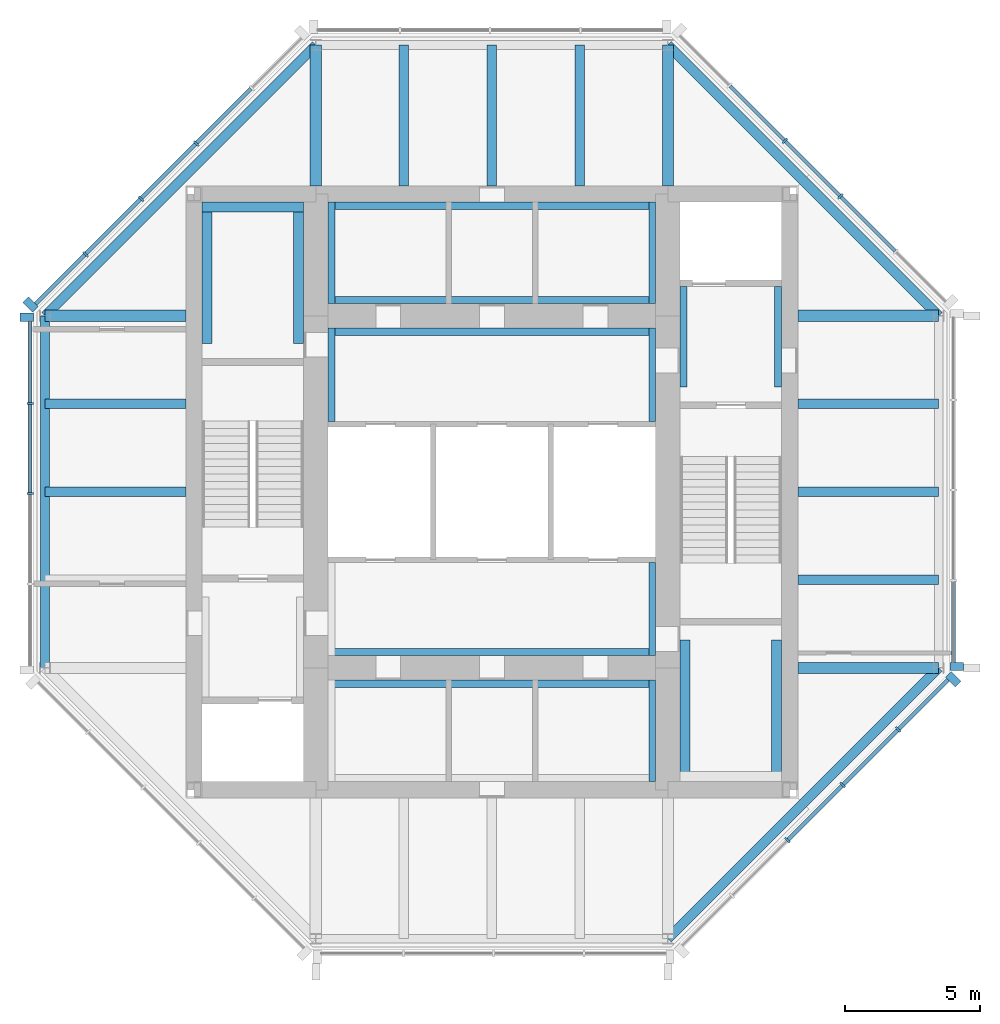
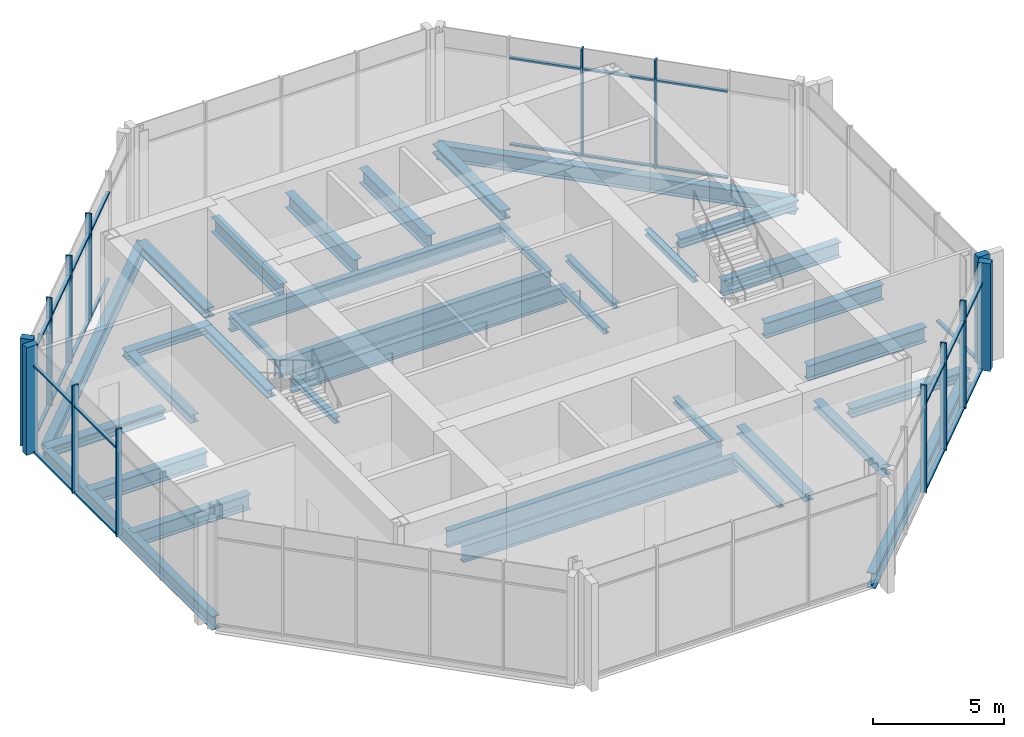
# One storey, part 2 of 7: 39 members, 35 beams, 5 elements without a shape of their own.
"""IFC4 building model written with IfcOpenShell, lengths in metres."""

from ifc_helpers import new_model, si_unit, direction, frame, origin, origin_2d, place, context, subcontext, project, spatial, rectangle, i_section, extrude, material, material_profile, profile_set, type_object, element, aggregate, save


model = new_model("IFC4")

# Units and contexts
model_context = context("Model", 3, precision=1e-05, world=origin(), true_north=direction((0.0, 1.0)))
body_context = subcontext(model_context, "Body", "Model", "MODEL_VIEW")
ifc_project = project(units=[si_unit("LENGTHUNIT", "METRE"), si_unit("AREAUNIT", "SQUARE_METRE"), si_unit("VOLUMEUNIT", "CUBIC_METRE"), si_unit("PLANEANGLEUNIT", "RADIAN"), si_unit("MASSUNIT", "GRAM", prefix="KILO")], contexts=[model_context])

# Site, building, storey
site_placement = place(None, origin())
site = spatial("IfcSite", under=ifc_project, at=site_placement, CompositionType="ELEMENT")
building_placement = place(site_placement, origin())
building = spatial("IfcBuilding", under=site, at=building_placement, Name="Trevanion Tower", CompositionType="ELEMENT")
storey_placement = place(building_placement, frame((0.0, 0.0, 299.199951171875)))
storey = spatial("IfcBuildingStorey", under=building, at=storey_placement, Name="L74", CompositionType="ELEMENT", Elevation=299.199951171875)

# Beams
ifc_material_1 = material(Name="Steel ASTM A992 Grade 50", Category="steel")
ifc_material_profile_1 = material_profile(ifc_material_1, i_section(OverallWidth=0.355712890625, OverallDepth=0.700927734375, WebThickness=0.016845703125, FlangeThickness=0.02734375, at=origin_2d()), Name="W27X161")
ifc_profile_set_1 = profile_set([ifc_material_profile_1], Name="Steel ASTM A992 Grade 50")
beam_type_1 = type_object("IfcBeamType", Name="B15 W27X161", PredefinedType="BEAM", material=ifc_profile_set_1)
for number, where, z_axis, x_axis, name in (
    (1, (11.300048828125, -3.25, -0.54052734375), (1.0, 0.0, 0.0), (0.0, 1.0, 0.0), "B15 L74"),
    (2, (11.300048828125, 0.0, -0.54052734375), (1.0, 0.0, 0.0), (0.0, 1.0, 0.0), "B15 L74"),
    (3, (11.300048828125, 3.25, -0.54052734375), (1.0, 0.0, 0.0), (0.0, 1.0, 0.0), "B15 L74"),
    (4, (3.25, 11.300048828125, -0.54052734375), (0.0, 1.0, 0.0), (-1.0, 0.0, 0.0), "B15 L74"),
    (5, (0.0, 11.300048828125, -0.54052734375), (0.0, 1.0, 0.0), (-1.0, 0.0, 0.0), "B15 L74"),
    (6, (-3.25, 11.300048828125, -0.54052734375), (0.0, 1.0, 0.0), (-1.0, 0.0, 0.0), "B15 L74"),
    (7, (-11.300048828125, 3.25, -0.54052734375), (-1.0, 0.0, 0.0), (0.0, -1.0, 0.0), "B15 L74"),
    (8, (-11.300048828125, 0.0, -0.54052734375), (-1.0, 0.0, 0.0), (0.0, -1.0, 0.0), "B15 L74"),
):
    element("IfcBeam", number, at=place(storey_placement, frame(where, z_axis=z_axis, x_axis=x_axis)), inside=storey, type_object=beam_type_1, Name=name, PredefinedType="BEAM", context=body_context, shape_type="SweptSolid", body=[
        extrude(i_section(OverallWidth=0.355712890625, OverallDepth=0.700927734375, WebThickness=0.016845703125, FlangeThickness=0.02734375, at=origin_2d()), origin(), (0.0, 0.0, 1.0), 5.199951171875),
    ])

# Curtain wall, members
ifc_material_2 = material(Name="Aluminium and glass", Category="aluminium")
curtain_wall_type = type_object("IfcCurtainWallType", Name="CW4 curtain wall", PredefinedType="USERDEFINED", material=ifc_material_2)
curtain_wall_1_placement = place(storey_placement, origin())
curtain_wall_1 = element("IfcCurtainWall", 9, at=curtain_wall_1_placement, inside=storey, type_object=curtain_wall_type, Name="CW4 L74 1", ObjectType="UNITISED CURTAIN WALL", PredefinedType="USERDEFINED")
ifc_material_3 = material(Name="Aluminium extrusion, anodised bronze", Category="aluminium")
ifc_material_profile_2 = material_profile(ifc_material_3, rectangle(XDim=0.074951171875, YDim=0.25, at=origin_2d()), Name="CW4 mullion")
ifc_profile_set_2 = profile_set([ifc_material_profile_2], Name="Aluminium extrusion, anodised bronze")
member_type_1 = type_object("IfcMemberType", Name="CW4 mullion", PredefinedType="MULLION", material=ifc_profile_set_2)
member_1_placement = place(storey_placement, frame((12.865966796875, 10.911865234375, -0.18994140625), z_axis=(0.0, 0.0, 1.0), x_axis=(-0.707106781187, 0.707106781187, 0.0)))
member_1 = element("IfcMember", 10, at=member_1_placement, type_object=member_type_1, Name="CW4 mullion 3", PredefinedType="MULLION", context=body_context, shape_type="SweptSolid", body=[
    extrude(rectangle(XDim=0.074951171875, YDim=0.25, at=origin_2d()), origin(), (0.0, 0.0, 1.0), 5.0),
])
member_2_placement = place(storey_placement, frame((10.81982421875, 12.9580078125, -0.18994140625), z_axis=(0.0, 0.0, 1.0), x_axis=(-0.707106781187, 0.707106781187, 0.0)))
member_2 = element("IfcMember", 11, at=member_2_placement, type_object=member_type_1, Name="CW4 mullion 4", PredefinedType="MULLION", context=body_context, shape_type="SweptSolid", body=[
    extrude(rectangle(XDim=0.074951171875, YDim=0.25, at=origin_2d()), origin(), (0.0, 0.0, 1.0), 5.0),
])

curtain_wall_2_placement = place(storey_placement, origin())
curtain_wall_2 = element("IfcCurtainWall", 12, at=curtain_wall_2_placement, inside=storey, type_object=curtain_wall_type, Name="CW4 L74 3", ObjectType="UNITISED CURTAIN WALL", PredefinedType="USERDEFINED")
member_3_placement = place(storey_placement, frame((-10.911865234375, 12.865966796875, -0.18994140625), z_axis=(0.0, 0.0, 1.0), x_axis=(-0.707106781187, -0.707106781187, 0.0)))
member_3 = element("IfcMember", 13, at=member_3_placement, type_object=member_type_1, Name="CW4 mullion 3", PredefinedType="MULLION", context=body_context, shape_type="SweptSolid", body=[
    extrude(rectangle(XDim=0.074951171875, YDim=0.25, at=origin_2d()), origin(), (0.0, 0.0, 1.0), 5.0),
])
member_4_placement = place(storey_placement, frame((-12.9580078125, 10.81982421875, -0.18994140625), z_axis=(0.0, 0.0, 1.0), x_axis=(-0.707106781187, -0.707106781187, 0.0)))
member_4 = element("IfcMember", 14, at=member_4_placement, type_object=member_type_1, Name="CW4 mullion 4", PredefinedType="MULLION", context=body_context, shape_type="SweptSolid", body=[
    extrude(rectangle(XDim=0.074951171875, YDim=0.25, at=origin_2d()), origin(), (0.0, 0.0, 1.0), 5.0),
])
member_5_placement = place(storey_placement, frame((-15.00390625, 8.77392578125, -0.18994140625), z_axis=(0.0, 0.0, 1.0), x_axis=(-0.707106781187, -0.707106781187, 0.0)))
member_5 = element("IfcMember", 15, at=member_5_placement, type_object=member_type_1, Name="CW4 mullion 5", PredefinedType="MULLION", context=body_context, shape_type="SweptSolid", body=[
    extrude(rectangle(XDim=0.074951171875, YDim=0.25, at=origin_2d()), origin(), (0.0, 0.0, 1.0), 5.0),
])

curtain_wall_3_placement = place(storey_placement, origin())
curtain_wall_3 = element("IfcCurtainWall", 16, at=curtain_wall_3_placement, inside=storey, type_object=curtain_wall_type, Name="CW4 L74 4", ObjectType="UNITISED CURTAIN WALL", PredefinedType="USERDEFINED")
member_6_placement = place(storey_placement, frame((-17.050048828125, 3.266357421875, -0.18994140625), z_axis=(0.0, 0.0, 1.0), x_axis=(0.0, -1.0, 0.0)))
member_6 = element("IfcMember", 17, at=member_6_placement, type_object=member_type_1, Name="CW4 mullion 2", PredefinedType="MULLION", context=body_context, shape_type="SweptSolid", body=[
    extrude(rectangle(XDim=0.074951171875, YDim=0.25, at=origin_2d()), origin(), (0.0, 0.0, 1.0), 5.0),
])
member_7_placement = place(storey_placement, frame((-17.050048828125, -0.06494140625, -0.18994140625), z_axis=(0.0, 0.0, 1.0), x_axis=(0.0, -1.0, 0.0)))
member_7 = element("IfcMember", 18, at=member_7_placement, type_object=member_type_1, Name="CW4 mullion 3", PredefinedType="MULLION", context=body_context, shape_type="SweptSolid", body=[
    extrude(rectangle(XDim=0.074951171875, YDim=0.25, at=origin_2d()), origin(), (0.0, 0.0, 1.0), 5.0),
])

curtain_wall_4_placement = place(storey_placement, origin())
curtain_wall_4 = element("IfcCurtainWall", 19, at=curtain_wall_4_placement, inside=storey, type_object=curtain_wall_type, Name="CW4 L74 7", ObjectType="UNITISED CURTAIN WALL", PredefinedType="USERDEFINED")
member_8_placement = place(storey_placement, frame((10.911865234375, -12.865966796875, -0.18994140625), z_axis=(0.0, 0.0, 1.0), x_axis=(0.707106781187, 0.707106781187, 0.0)))
member_8 = element("IfcMember", 20, at=member_8_placement, type_object=member_type_1, Name="CW4 mullion 3", PredefinedType="MULLION", context=body_context, shape_type="SweptSolid", body=[
    extrude(rectangle(XDim=0.074951171875, YDim=0.25, at=origin_2d()), origin(), (0.0, 0.0, 1.0), 5.0),
])
member_9_placement = place(storey_placement, frame((12.9580078125, -10.81982421875, -0.18994140625), z_axis=(0.0, 0.0, 1.0), x_axis=(0.707106781187, 0.707106781187, 0.0)))
member_9 = element("IfcMember", 21, at=member_9_placement, type_object=member_type_1, Name="CW4 mullion 4", PredefinedType="MULLION", context=body_context, shape_type="SweptSolid", body=[
    extrude(rectangle(XDim=0.074951171875, YDim=0.25, at=origin_2d()), origin(), (0.0, 0.0, 1.0), 5.0),
])
member_10_placement = place(storey_placement, frame((15.00390625, -8.77392578125, -0.18994140625), z_axis=(0.0, 0.0, 1.0), x_axis=(0.707106781187, 0.707106781187, 0.0)))
member_10 = element("IfcMember", 22, at=member_10_placement, type_object=member_type_1, Name="CW4 mullion 5", PredefinedType="MULLION", context=body_context, shape_type="SweptSolid", body=[
    extrude(rectangle(XDim=0.074951171875, YDim=0.25, at=origin_2d()), origin(), (0.0, 0.0, 1.0), 5.0),
])

# Curtain wall, member
curtain_wall_5_placement = place(storey_placement, origin())
curtain_wall_5 = element("IfcCurtainWall", 23, at=curtain_wall_5_placement, inside=storey, type_object=curtain_wall_type, Name="CW4 L74 0", ObjectType="UNITISED CURTAIN WALL", PredefinedType="USERDEFINED")
ifc_material_4 = material(Name="Aluminium extrusion, anodised bronze", Category="aluminium")
ifc_material_profile_3 = material_profile(ifc_material_4, rectangle(XDim=0.300048828125, YDim=0.5, at=origin_2d()), Name="CW4 pier mullion")
ifc_profile_set_3 = profile_set([ifc_material_profile_3], Name="Aluminium extrusion, anodised bronze")
member_type_2 = type_object("IfcMemberType", Name="CW4 pier mullion", PredefinedType="MULLION", material=ifc_profile_set_3)
member_11_placement = place(storey_placement, frame((17.175048828125, -6.44775390625, -0.18994140625), z_axis=(0.0, 0.0, 1.0), x_axis=(0.0, 1.0, 0.0)))
member_11 = element("IfcMember", 24, at=member_11_placement, type_object=member_type_2, Name="CW4 pier mullion 1", PredefinedType="MULLION", context=body_context, shape_type="SweptSolid", body=[
    extrude(rectangle(XDim=0.300048828125, YDim=0.5, at=origin_2d()), origin(), (0.0, 0.0, 1.0), 5.0),
])

# Member
member_12_placement = place(storey_placement, frame((-17.0322265625, 6.92236328125, -0.18994140625), z_axis=(0.0, 0.0, 1.0), x_axis=(-0.707106781187, -0.707106781187, 0.0)))
member_12 = element("IfcMember", 25, at=member_12_placement, type_object=member_type_2, Name="CW4 pier mullion 6", PredefinedType="MULLION", context=body_context, shape_type="SweptSolid", body=[
    extrude(rectangle(XDim=0.300048828125, YDim=0.5, at=origin_2d()), origin(), (0.0, 0.0, 1.0), 5.0),
])

member_13_placement = place(storey_placement, frame((-17.175048828125, 6.44775390625, -0.18994140625), z_axis=(0.0, 0.0, 1.0), x_axis=(0.0, -1.0, 0.0)))
member_13 = element("IfcMember", 26, at=member_13_placement, type_object=member_type_2, Name="CW4 pier mullion 1", PredefinedType="MULLION", context=body_context, shape_type="SweptSolid", body=[
    extrude(rectangle(XDim=0.300048828125, YDim=0.5, at=origin_2d()), origin(), (0.0, 0.0, 1.0), 5.0),
])

member_14_placement = place(storey_placement, frame((17.0322265625, -6.92236328125, -0.18994140625), z_axis=(0.0, 0.0, 1.0), x_axis=(0.707106781187, 0.707106781187, 0.0)))
member_14 = element("IfcMember", 27, at=member_14_placement, type_object=member_type_2, Name="CW4 pier mullion 6", PredefinedType="MULLION", context=body_context, shape_type="SweptSolid", body=[
    extrude(rectangle(XDim=0.300048828125, YDim=0.5, at=origin_2d()), origin(), (0.0, 0.0, 1.0), 5.0),
])

ifc_material_5 = material(Name="Aluminium extrusion, anodised bronze", Category="aluminium")
ifc_material_profile_4 = material_profile(ifc_material_5, rectangle(XDim=0.14990234375, YDim=0.074951171875, at=origin_2d()), Name="CW4 transom")
ifc_profile_set_4 = profile_set([ifc_material_profile_4], Name="Aluminium extrusion, anodised bronze")
member_type_3 = type_object("IfcMemberType", Name="CW4 transom", PredefinedType="USERDEFINED", material=ifc_profile_set_4)
member_15_placement = place(storey_placement, frame((17.050048828125, -6.2978515625, -0.15234375), z_axis=(0.0, 1.0, 0.0), x_axis=(-1.0, 0.0, 0.0)))
member_15 = element("IfcMember", 28, at=member_15_placement, type_object=member_type_3, Name="CW4 transom 1.1", ObjectType="TRANSOM", PredefinedType="USERDEFINED", context=body_context, shape_type="SweptSolid", body=[
    extrude(rectangle(XDim=0.14990234375, YDim=0.074951171875, at=origin_2d()), origin(), (0.0, 0.0, 1.0), 2.993896484375),
])

aggregate(curtain_wall_5, [member_11, member_15])

member_16_placement = place(storey_placement, frame((14.885498046875, 8.892333984375, -0.15234375), z_axis=(-0.707106781187, 0.707106781187, 0.0), x_axis=(-0.707106781187, -0.707106781187, 0.0)))
member_16 = element("IfcMember", 29, at=member_16_placement, type_object=member_type_3, Name="CW4 transom 2.1", ObjectType="TRANSOM", PredefinedType="USERDEFINED", context=body_context, shape_type="SweptSolid", body=[
    extrude(rectangle(XDim=0.14990234375, YDim=0.074951171875, at=origin_2d()), origin(), (0.0, 0.0, 1.0), 2.818359375),
])

member_17_placement = place(storey_placement, frame((14.885498046875, 8.892333984375, 3.860107421875), z_axis=(-0.707106781187, 0.707106781187, 0.0), x_axis=(-0.707106781187, -0.707106781187, 0.0)))
member_17 = element("IfcMember", 30, at=member_17_placement, type_object=member_type_3, Name="CW4 transom 2.2", ObjectType="TRANSOM", PredefinedType="USERDEFINED", context=body_context, shape_type="SweptSolid", body=[
    extrude(rectangle(XDim=0.14990234375, YDim=0.074951171875, at=origin_2d()), origin(), (0.0, 0.0, 1.0), 2.818359375),
])

member_18_placement = place(storey_placement, frame((12.839599609375, 10.9384765625, -0.15234375), z_axis=(-0.707150088905, 0.707063470815, 0.0), x_axis=(-0.707063470815, -0.707150088905, 0.0)))
member_18 = element("IfcMember", 31, at=member_18_placement, type_object=member_type_3, Name="CW4 transom 3.1", ObjectType="TRANSOM", PredefinedType="USERDEFINED", context=body_context, shape_type="SweptSolid", body=[
    extrude(rectangle(XDim=0.14990234375, YDim=0.074951171875, at=origin_2d()), origin(), (0.0, 0.0, 1.0), 2.818603515625),
])

member_19_placement = place(storey_placement, frame((12.839599609375, 10.9384765625, 3.860107421875), z_axis=(-0.707150088905, 0.707063470815, 0.0), x_axis=(-0.707063470815, -0.707150088905, 0.0)))
member_19 = element("IfcMember", 32, at=member_19_placement, type_object=member_type_3, Name="CW4 transom 3.2", ObjectType="TRANSOM", PredefinedType="USERDEFINED", context=body_context, shape_type="SweptSolid", body=[
    extrude(rectangle(XDim=0.14990234375, YDim=0.074951171875, at=origin_2d()), origin(), (0.0, 0.0, 1.0), 2.818603515625),
])

member_20_placement = place(storey_placement, frame((10.79345703125, 12.984375, -0.15234375), z_axis=(-0.707150088905, 0.707063470815, 0.0), x_axis=(-0.707063470815, -0.707150088905, 0.0)))
member_20 = element("IfcMember", 33, at=member_20_placement, type_object=member_type_3, Name="CW4 transom 4.1", ObjectType="TRANSOM", PredefinedType="USERDEFINED", context=body_context, shape_type="SweptSolid", body=[
    extrude(rectangle(XDim=0.14990234375, YDim=0.074951171875, at=origin_2d()), origin(), (0.0, 0.0, 1.0), 2.818603515625),
])

member_21_placement = place(storey_placement, frame((10.79345703125, 12.984375, 3.860107421875), z_axis=(-0.707150088905, 0.707063470815, 0.0), x_axis=(-0.707063470815, -0.707150088905, 0.0)))
member_21 = element("IfcMember", 34, at=member_21_placement, type_object=member_type_3, Name="CW4 transom 4.2", ObjectType="TRANSOM", PredefinedType="USERDEFINED", context=body_context, shape_type="SweptSolid", body=[
    extrude(rectangle(XDim=0.14990234375, YDim=0.074951171875, at=origin_2d()), origin(), (0.0, 0.0, 1.0), 2.818603515625),
])

aggregate(curtain_wall_1, [member_1, member_2, member_16, member_17, member_18, member_19, member_20, member_21])

member_22_placement = place(storey_placement, frame((-8.892333984375, 14.885498046875, -0.15234375), z_axis=(-0.707106781187, -0.707106781187, 0.0), x_axis=(0.707106781187, -0.707106781187, 0.0)))
member_22 = element("IfcMember", 35, at=member_22_placement, type_object=member_type_3, Name="CW4 transom 2.1", ObjectType="TRANSOM", PredefinedType="USERDEFINED", context=body_context, shape_type="SweptSolid", body=[
    extrude(rectangle(XDim=0.14990234375, YDim=0.074951171875, at=origin_2d()), origin(), (0.0, 0.0, 1.0), 2.818359375),
])

member_23_placement = place(storey_placement, frame((-8.892333984375, 14.885498046875, 3.860107421875), z_axis=(-0.707106781187, -0.707106781187, 0.0), x_axis=(0.707106781187, -0.707106781187, 0.0)))
member_23 = element("IfcMember", 36, at=member_23_placement, type_object=member_type_3, Name="CW4 transom 2.2", ObjectType="TRANSOM", PredefinedType="USERDEFINED", context=body_context, shape_type="SweptSolid", body=[
    extrude(rectangle(XDim=0.14990234375, YDim=0.074951171875, at=origin_2d()), origin(), (0.0, 0.0, 1.0), 2.818359375),
])

member_24_placement = place(storey_placement, frame((-10.9384765625, 12.839599609375, -0.15234375), z_axis=(-0.707063470815, -0.707150088905, 0.0), x_axis=(0.707150088905, -0.707063470815, 0.0)))
member_24 = element("IfcMember", 37, at=member_24_placement, type_object=member_type_3, Name="CW4 transom 3.1", ObjectType="TRANSOM", PredefinedType="USERDEFINED", context=body_context, shape_type="SweptSolid", body=[
    extrude(rectangle(XDim=0.14990234375, YDim=0.074951171875, at=origin_2d()), origin(), (0.0, 0.0, 1.0), 2.818603515625),
])

member_25_placement = place(storey_placement, frame((-10.9384765625, 12.839599609375, 3.860107421875), z_axis=(-0.707063470815, -0.707150088905, 0.0), x_axis=(0.707150088905, -0.707063470815, 0.0)))
member_25 = element("IfcMember", 38, at=member_25_placement, type_object=member_type_3, Name="CW4 transom 3.2", ObjectType="TRANSOM", PredefinedType="USERDEFINED", context=body_context, shape_type="SweptSolid", body=[
    extrude(rectangle(XDim=0.14990234375, YDim=0.074951171875, at=origin_2d()), origin(), (0.0, 0.0, 1.0), 2.818603515625),
])

member_26_placement = place(storey_placement, frame((-12.984375, 10.79345703125, -0.15234375), z_axis=(-0.707063470815, -0.707150088905, 0.0), x_axis=(0.707150088905, -0.707063470815, 0.0)))
member_26 = element("IfcMember", 39, at=member_26_placement, type_object=member_type_3, Name="CW4 transom 4.1", ObjectType="TRANSOM", PredefinedType="USERDEFINED", context=body_context, shape_type="SweptSolid", body=[
    extrude(rectangle(XDim=0.14990234375, YDim=0.074951171875, at=origin_2d()), origin(), (0.0, 0.0, 1.0), 2.818603515625),
])

member_27_placement = place(storey_placement, frame((-12.984375, 10.79345703125, 3.860107421875), z_axis=(-0.707063470815, -0.707150088905, 0.0), x_axis=(0.707150088905, -0.707063470815, 0.0)))
member_27 = element("IfcMember", 40, at=member_27_placement, type_object=member_type_3, Name="CW4 transom 4.2", ObjectType="TRANSOM", PredefinedType="USERDEFINED", context=body_context, shape_type="SweptSolid", body=[
    extrude(rectangle(XDim=0.14990234375, YDim=0.074951171875, at=origin_2d()), origin(), (0.0, 0.0, 1.0), 2.818603515625),
])

member_28_placement = place(storey_placement, frame((-15.030517578125, 8.747314453125, -0.15234375), z_axis=(-0.707106781187, -0.707106781187, 0.0), x_axis=(0.707106781187, -0.707106781187, 0.0)))
member_28 = element("IfcMember", 41, at=member_28_placement, type_object=member_type_3, Name="CW4 transom 5.1", ObjectType="TRANSOM", PredefinedType="USERDEFINED", context=body_context, shape_type="SweptSolid", body=[
    extrude(rectangle(XDim=0.14990234375, YDim=0.074951171875, at=origin_2d()), origin(), (0.0, 0.0, 1.0), 2.555908203125),
])

member_29_placement = place(storey_placement, frame((-15.030517578125, 8.747314453125, 3.860107421875), z_axis=(-0.707106781187, -0.707106781187, 0.0), x_axis=(0.707106781187, -0.707106781187, 0.0)))
member_29 = element("IfcMember", 42, at=member_29_placement, type_object=member_type_3, Name="CW4 transom 5.2", ObjectType="TRANSOM", PredefinedType="USERDEFINED", context=body_context, shape_type="SweptSolid", body=[
    extrude(rectangle(XDim=0.14990234375, YDim=0.074951171875, at=origin_2d()), origin(), (0.0, 0.0, 1.0), 2.555908203125),
])

aggregate(curtain_wall_2, [member_3, member_4, member_5, member_12, member_22, member_23, member_24, member_25, member_26, member_27, member_28, member_29])

member_30_placement = place(storey_placement, frame((-17.050048828125, 6.2978515625, -0.15234375), z_axis=(0.0, -1.0, 0.0), x_axis=(1.0, 0.0, 0.0)))
member_30 = element("IfcMember", 43, at=member_30_placement, type_object=member_type_3, Name="CW4 transom 1.1", ObjectType="TRANSOM", PredefinedType="USERDEFINED", context=body_context, shape_type="SweptSolid", body=[
    extrude(rectangle(XDim=0.14990234375, YDim=0.074951171875, at=origin_2d()), origin(), (0.0, 0.0, 1.0), 2.993896484375),
])

member_31_placement = place(storey_placement, frame((-17.050048828125, 6.2978515625, 3.860107421875), z_axis=(0.0, -1.0, 0.0), x_axis=(1.0, 0.0, 0.0)))
member_31 = element("IfcMember", 44, at=member_31_placement, type_object=member_type_3, Name="CW4 transom 1.2", ObjectType="TRANSOM", PredefinedType="USERDEFINED", context=body_context, shape_type="SweptSolid", body=[
    extrude(rectangle(XDim=0.14990234375, YDim=0.074951171875, at=origin_2d()), origin(), (0.0, 0.0, 1.0), 2.993896484375),
])

member_32_placement = place(storey_placement, frame((-17.050048828125, 3.22900390625, -0.15234375), z_axis=(0.0, -1.0, 0.0), x_axis=(1.0, 0.0, 0.0)))
member_32 = element("IfcMember", 45, at=member_32_placement, type_object=member_type_3, Name="CW4 transom 2.1", ObjectType="TRANSOM", PredefinedType="USERDEFINED", context=body_context, shape_type="SweptSolid", body=[
    extrude(rectangle(XDim=0.14990234375, YDim=0.074951171875, at=origin_2d()), origin(), (0.0, 0.0, 1.0), 3.256591796875),
])

member_33_placement = place(storey_placement, frame((-17.050048828125, 3.22900390625, 3.860107421875), z_axis=(0.0, -1.0, 0.0), x_axis=(1.0, 0.0, 0.0)))
member_33 = element("IfcMember", 46, at=member_33_placement, type_object=member_type_3, Name="CW4 transom 2.2", ObjectType="TRANSOM", PredefinedType="USERDEFINED", context=body_context, shape_type="SweptSolid", body=[
    extrude(rectangle(XDim=0.14990234375, YDim=0.074951171875, at=origin_2d()), origin(), (0.0, 0.0, 1.0), 3.256591796875),
])

aggregate(curtain_wall_3, [member_13, member_6, member_7, member_30, member_31, member_32, member_33])

member_34_placement = place(storey_placement, frame((10.9384765625, -12.839599609375, -0.15234375), z_axis=(0.707063470815, 0.707150088905, 0.0), x_axis=(-0.707150088905, 0.707063470815, 0.0)))
member_34 = element("IfcMember", 47, at=member_34_placement, type_object=member_type_3, Name="CW4 transom 3.1", ObjectType="TRANSOM", PredefinedType="USERDEFINED", context=body_context, shape_type="SweptSolid", body=[
    extrude(rectangle(XDim=0.14990234375, YDim=0.074951171875, at=origin_2d()), origin(), (0.0, 0.0, 1.0), 2.818603515625),
])

member_35_placement = place(storey_placement, frame((10.9384765625, -12.839599609375, 3.860107421875), z_axis=(0.707063470815, 0.707150088905, 0.0), x_axis=(-0.707150088905, 0.707063470815, 0.0)))
member_35 = element("IfcMember", 48, at=member_35_placement, type_object=member_type_3, Name="CW4 transom 3.2", ObjectType="TRANSOM", PredefinedType="USERDEFINED", context=body_context, shape_type="SweptSolid", body=[
    extrude(rectangle(XDim=0.14990234375, YDim=0.074951171875, at=origin_2d()), origin(), (0.0, 0.0, 1.0), 2.818603515625),
])

member_36_placement = place(storey_placement, frame((12.984375, -10.79345703125, -0.15234375), z_axis=(0.707063470815, 0.707150088905, 0.0), x_axis=(-0.707150088905, 0.707063470815, 0.0)))
member_36 = element("IfcMember", 49, at=member_36_placement, type_object=member_type_3, Name="CW4 transom 4.1", ObjectType="TRANSOM", PredefinedType="USERDEFINED", context=body_context, shape_type="SweptSolid", body=[
    extrude(rectangle(XDim=0.14990234375, YDim=0.074951171875, at=origin_2d()), origin(), (0.0, 0.0, 1.0), 2.818603515625),
])

member_37_placement = place(storey_placement, frame((12.984375, -10.79345703125, 3.860107421875), z_axis=(0.707063470815, 0.707150088905, 0.0), x_axis=(-0.707150088905, 0.707063470815, 0.0)))
member_37 = element("IfcMember", 50, at=member_37_placement, type_object=member_type_3, Name="CW4 transom 4.2", ObjectType="TRANSOM", PredefinedType="USERDEFINED", context=body_context, shape_type="SweptSolid", body=[
    extrude(rectangle(XDim=0.14990234375, YDim=0.074951171875, at=origin_2d()), origin(), (0.0, 0.0, 1.0), 2.818603515625),
])

member_38_placement = place(storey_placement, frame((15.030517578125, -8.747314453125, -0.15234375), z_axis=(0.707106781187, 0.707106781187, 0.0), x_axis=(-0.707106781187, 0.707106781187, 0.0)))
member_38 = element("IfcMember", 51, at=member_38_placement, type_object=member_type_3, Name="CW4 transom 5.1", ObjectType="TRANSOM", PredefinedType="USERDEFINED", context=body_context, shape_type="SweptSolid", body=[
    extrude(rectangle(XDim=0.14990234375, YDim=0.074951171875, at=origin_2d()), origin(), (0.0, 0.0, 1.0), 2.555908203125),
])

member_39_placement = place(storey_placement, frame((15.030517578125, -8.747314453125, 3.860107421875), z_axis=(0.707106781187, 0.707106781187, 0.0), x_axis=(-0.707106781187, 0.707106781187, 0.0)))
member_39 = element("IfcMember", 52, at=member_39_placement, type_object=member_type_3, Name="CW4 transom 5.2", ObjectType="TRANSOM", PredefinedType="USERDEFINED", context=body_context, shape_type="SweptSolid", body=[
    extrude(rectangle(XDim=0.14990234375, YDim=0.074951171875, at=origin_2d()), origin(), (0.0, 0.0, 1.0), 2.555908203125),
])

aggregate(curtain_wall_4, [member_8, member_9, member_10, member_14, member_34, member_35, member_36, member_37, member_38, member_39])

# Beams
ifc_material_6 = material(Name="Steel ASTM A992 Grade 50", Category="steel")
ifc_material_profile_5 = material_profile(ifc_material_6, i_section(OverallWidth=0.41650390625, OverallDepth=0.444580078125, WebThickness=0.0390625, FlangeThickness=0.062744140625, at=origin_2d()), Name="W14X342")
ifc_profile_set_5 = profile_set([ifc_material_profile_5], Name="Steel ASTM A992 Grade 50")
beam_type_2 = type_object("IfcBeamType", Name="G8 W14X342", PredefinedType="BEAM", material=ifc_profile_set_5)
for number, where, z_axis, x_axis, name in (
    (53, (11.300048828125, -6.5, -0.412109375), (1.0, 0.0, 0.0), (0.0, 1.0, 0.0), "G8 L74"),
    (54, (11.300048828125, 6.5, -0.412109375), (1.0, 0.0, 0.0), (0.0, 1.0, 0.0), "G8 L74"),
    (55, (6.5, 11.300048828125, -0.412109375), (0.0, 1.0, 0.0), (-1.0, 0.0, 0.0), "G8 L74"),
    (56, (-6.5, 11.300048828125, -0.412109375), (0.0, 1.0, 0.0), (-1.0, 0.0, 0.0), "G8 L74"),
    (57, (-11.300048828125, 6.5, -0.412109375), (-1.0, 0.0, 0.0), (0.0, -1.0, 0.0), "G8 L74"),
):
    element("IfcBeam", number, at=place(storey_placement, frame(where, z_axis=z_axis, x_axis=x_axis)), inside=storey, type_object=beam_type_2, Name=name, PredefinedType="BEAM", context=body_context, shape_type="SweptSolid", body=[
        extrude(i_section(OverallWidth=0.41650390625, OverallDepth=0.444580078125, WebThickness=0.0390625, FlangeThickness=0.062744140625, at=origin_2d()), origin(), (0.0, 0.0, 1.0), 5.199951171875),
    ])
ifc_material_7 = material(Name="Steel ASTM A992 Grade 50", Category="steel")
ifc_material_profile_6 = material_profile(ifc_material_7, i_section(OverallWidth=0.256591796875, OverallDepth=0.26416015625, WebThickness=0.011962890625, FlangeThickness=0.01953125, at=origin_2d()), Name="W10X68")
ifc_profile_set_6 = profile_set([ifc_material_profile_6], Name="Steel ASTM A992 Grade 50")
beam_type_3 = type_object("IfcBeamType", Name="LB1 W10X68", PredefinedType="BEAM", material=ifc_profile_set_6)
for number, where, z_axis, x_axis, name in (
    (58, (-5.921630859375, 2.60009765625, -0.33203125), (0.0, 1.0, 0.0), (-1.0, 0.0, 0.0), "LB1 L74"),
    (59, (5.921630859375, 2.60009765625, -0.33203125), (0.0, 1.0, 0.0), (-1.0, 0.0, 0.0), "LB1 L74"),
    (60, (5.921630859375, -6.050048828125, -0.33203125), (0.0, 1.0, 0.0), (-1.0, 0.0, 0.0), "LB1 L74"),
):
    element("IfcBeam", number, at=place(storey_placement, frame(where, z_axis=z_axis, x_axis=x_axis)), inside=storey, type_object=beam_type_3, Name=name, PredefinedType="BEAM", context=body_context, shape_type="SweptSolid", body=[
        extrude(i_section(OverallWidth=0.256591796875, OverallDepth=0.26416015625, WebThickness=0.011962890625, FlangeThickness=0.01953125, at=origin_2d()), origin(), (0.0, 0.0, 1.0), 3.449951171875),
    ])
for number, where, z_axis, x_axis, name in (
    (61, (7.078369140625, 3.875, -0.33203125), (0.0, 1.0, 0.0), (-1.0, 0.0, 0.0), "LB1 L74"),
    (62, (10.57177734375, 3.875, -0.33203125), (0.0, 1.0, 0.0), (-1.0, 0.0, 0.0), "LB1 L74"),
):
    element("IfcBeam", number, at=place(storey_placement, frame(where, z_axis=z_axis, x_axis=x_axis)), inside=storey, type_object=beam_type_3, Name=name, PredefinedType="BEAM", context=body_context, shape_type="SweptSolid", body=[
        extrude(i_section(OverallWidth=0.256591796875, OverallDepth=0.26416015625, WebThickness=0.011962890625, FlangeThickness=0.01953125, at=origin_2d()), origin(), (0.0, 0.0, 1.0), 3.699951171875),
    ])
for number, where, z_axis, x_axis, name in (
    (63, (-5.921630859375, 6.949951171875, -0.33203125), (0.0, 1.0, 0.0), (-1.0, 0.0, 0.0), "LB1 L74"),
    (64, (5.921630859375, 6.949951171875, -0.33203125), (0.0, 1.0, 0.0), (-1.0, 0.0, 0.0), "LB1 L74"),
    (65, (5.921630859375, -10.699951171875, -0.33203125), (0.0, 1.0, 0.0), (-1.0, 0.0, 0.0), "LB1 L74"),
):
    element("IfcBeam", number, at=place(storey_placement, frame(where, z_axis=z_axis, x_axis=x_axis)), inside=storey, type_object=beam_type_3, Name=name, PredefinedType="BEAM", context=body_context, shape_type="SweptSolid", body=[
        extrude(i_section(OverallWidth=0.256591796875, OverallDepth=0.26416015625, WebThickness=0.011962890625, FlangeThickness=0.01953125, at=origin_2d()), origin(), (0.0, 0.0, 1.0), 3.75),
    ])
ifc_material_8 = material(Name="Steel ASTM A992 Grade 50", Category="steel")
ifc_material_profile_7 = material_profile(ifc_material_8, i_section(OverallWidth=0.373291015625, OverallDepth=0.373291015625, WebThickness=0.016357421875, FlangeThickness=0.026123046875, at=origin_2d()), Name="W14X132")
ifc_profile_set_7 = profile_set([ifc_material_profile_7], Name="Steel ASTM A992 Grade 50")
beam_type_4 = type_object("IfcBeamType", Name="LB2 W14X132", PredefinedType="BEAM", material=ifc_profile_set_7)
for number, where, z_axis, x_axis, name in (
    (66, (7.13671875, -10.699951171875, -0.38671875), (0.0, 1.0, 0.0), (-1.0, 0.0, 0.0), "LB2 L74"),
    (67, (10.51318359375, -10.699951171875, -0.38671875), (0.0, 1.0, 0.0), (-1.0, 0.0, 0.0), "LB2 L74"),
    (68, (-10.51318359375, 5.47509765625, -0.38671875), (0.0, 1.0, 0.0), (-1.0, 0.0, 0.0), "LB2 L74"),
    (69, (-7.13671875, 5.47509765625, -0.38671875), (0.0, 1.0, 0.0), (-1.0, 0.0, 0.0), "LB2 L74"),
):
    element("IfcBeam", number, at=place(storey_placement, frame(where, z_axis=z_axis, x_axis=x_axis)), inside=storey, type_object=beam_type_4, Name=name, PredefinedType="BEAM", context=body_context, shape_type="SweptSolid", body=[
        extrude(i_section(OverallWidth=0.373291015625, OverallDepth=0.373291015625, WebThickness=0.016357421875, FlangeThickness=0.026123046875, at=origin_2d()), origin(), (0.0, 0.0, 1.0), 5.224853515625),
    ])
beam_1_placement = place(storey_placement, frame((-10.699951171875, 10.51318359375, -0.38671875), z_axis=(1.0, 0.0, 0.0), x_axis=(0.0, 1.0, 0.0)))
element("IfcBeam", 70, at=beam_1_placement, inside=storey, type_object=beam_type_4, Name="LB2 L74", PredefinedType="BEAM", context=body_context, shape_type="SweptSolid", body=[
    extrude(i_section(OverallWidth=0.373291015625, OverallDepth=0.373291015625, WebThickness=0.016357421875, FlangeThickness=0.026123046875, at=origin_2d()), origin(), (0.0, 0.0, 1.0), 3.75),
])
ifc_material_9 = material(Name="Steel ASTM A992 Grade 50", Category="steel")
ifc_material_profile_8 = material_profile(ifc_material_9, i_section(OverallWidth=0.2666015625, OverallDepth=0.76953125, WebThickness=0.015625, FlangeThickness=0.025390625, at=origin_2d()), Name="W30X132")
ifc_profile_set_8 = profile_set([ifc_material_profile_8], Name="Steel ASTM A992 Grade 50")
beam_type_5 = type_object("IfcBeamType", Name="LB3 W30X132", PredefinedType="BEAM", material=ifc_profile_set_8)
for number, where, z_axis, x_axis, name in (
    (71, (-6.050048828125, 5.91650390625, -0.584716796875), (1.0, 0.0, 0.0), (0.0, 1.0, 0.0), "LB3 L74"),
    (72, (-6.050048828125, -5.91650390625, -0.584716796875), (1.0, 0.0, 0.0), (0.0, 1.0, 0.0), "LB3 L74"),
    (73, (-6.050048828125, 7.08349609375, -0.584716796875), (1.0, 0.0, 0.0), (0.0, 1.0, 0.0), "LB3 L74"),
    (74, (-6.050048828125, 10.566650390625, -0.584716796875), (1.0, 0.0, 0.0), (0.0, 1.0, 0.0), "LB3 L74"),
    (75, (-6.050048828125, -7.08349609375, -0.584716796875), (1.0, 0.0, 0.0), (0.0, 1.0, 0.0), "LB3 L74"),
):
    element("IfcBeam", number, at=place(storey_placement, frame(where, z_axis=z_axis, x_axis=x_axis)), inside=storey, type_object=beam_type_5, Name=name, PredefinedType="BEAM", context=body_context, shape_type="SweptSolid", body=[
        extrude(i_section(OverallWidth=0.2666015625, OverallDepth=0.76953125, WebThickness=0.015625, FlangeThickness=0.025390625, at=origin_2d()), origin(), (0.0, 0.0, 1.0), 12.10009765625),
    ])
ifc_material_10 = material(Name="Steel ASTM A992 Grade 50", Category="steel")
ifc_material_profile_9 = material_profile(ifc_material_10, i_section(OverallWidth=0.32763671875, OverallDepth=0.622314453125, WebThickness=0.015380859375, FlangeThickness=0.0244140625, at=origin_2d()), Name="W24X131")
ifc_profile_set_9 = profile_set([ifc_material_profile_9], Name="Steel ASTM A992 Grade 50")
beam_type_6 = type_object("IfcBeamType", Name="SB12 W24X131", PredefinedType="SPANDREL", material=ifc_profile_set_9)
beam_2_placement = place(storey_placement, frame((-16.5, 6.5, -0.501220703125), z_axis=(0.0, -1.0, 0.0), x_axis=(1.0, 0.0, 0.0)))
element("IfcBeam", 76, at=beam_2_placement, inside=storey, type_object=beam_type_6, Name="SB12 L74", PredefinedType="SPANDREL", context=body_context, shape_type="SweptSolid", body=[
    extrude(i_section(OverallWidth=0.32763671875, OverallDepth=0.622314453125, WebThickness=0.015380859375, FlangeThickness=0.0244140625, at=origin_2d()), origin(), (0.0, 0.0, 1.0), 13.0),
])
ifc_material_11 = material(Name="Steel ASTM A992 Grade 50", Category="steel")
ifc_material_profile_10 = material_profile(ifc_material_11, i_section(OverallWidth=0.358154296875, OverallDepth=0.7060546875, WebThickness=0.018310546875, FlangeThickness=0.0302734375, at=origin_2d()), Name="W27X178")
ifc_profile_set_10 = profile_set([ifc_material_profile_10], Name="Steel ASTM A992 Grade 50")
beam_type_7 = type_object("IfcBeamType", Name="SB13 W27X178", PredefinedType="SPANDREL", material=ifc_profile_set_10)
for number, where, z_axis, x_axis, name in (
    (77, (16.5, 6.5, -0.54296875), (-0.707106781187, 0.707106781187, 0.0), (-0.707106781187, -0.707106781187, 0.0), "SB13 L74"),
    (78, (-6.5, 16.5, -0.54296875), (-0.707106781187, -0.707106781187, 0.0), (0.707106781187, -0.707106781187, 0.0), "SB13 L74"),
    (79, (6.5, -16.5, -0.54296875), (0.707106781187, 0.707106781187, 0.0), (-0.707106781187, 0.707106781187, 0.0), "SB13 L74"),
):
    element("IfcBeam", number, at=place(storey_placement, frame(where, z_axis=z_axis, x_axis=x_axis)), inside=storey, type_object=beam_type_7, Name=name, PredefinedType="SPANDREL", context=body_context, shape_type="SweptSolid", body=[
        extrude(i_section(OverallWidth=0.358154296875, OverallDepth=0.7060546875, WebThickness=0.018310546875, FlangeThickness=0.0302734375, at=origin_2d()), origin(), (0.0, 0.0, 1.0), 14.14208984375),
    ])

save(model, "model.ifc")
